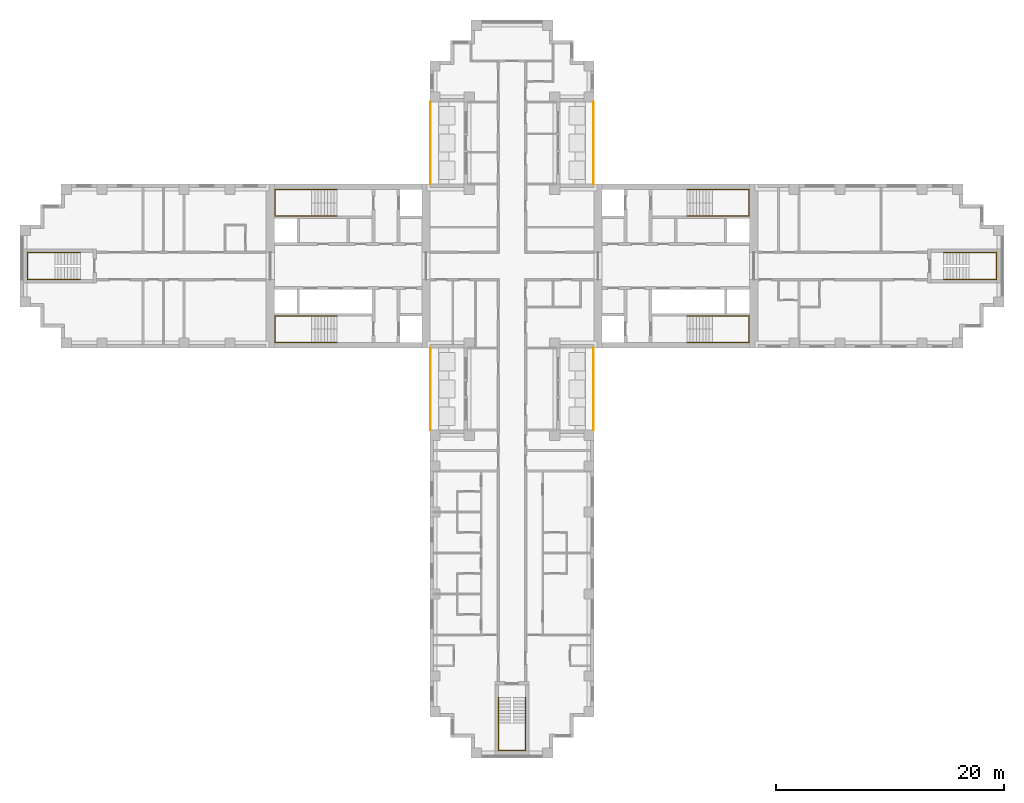
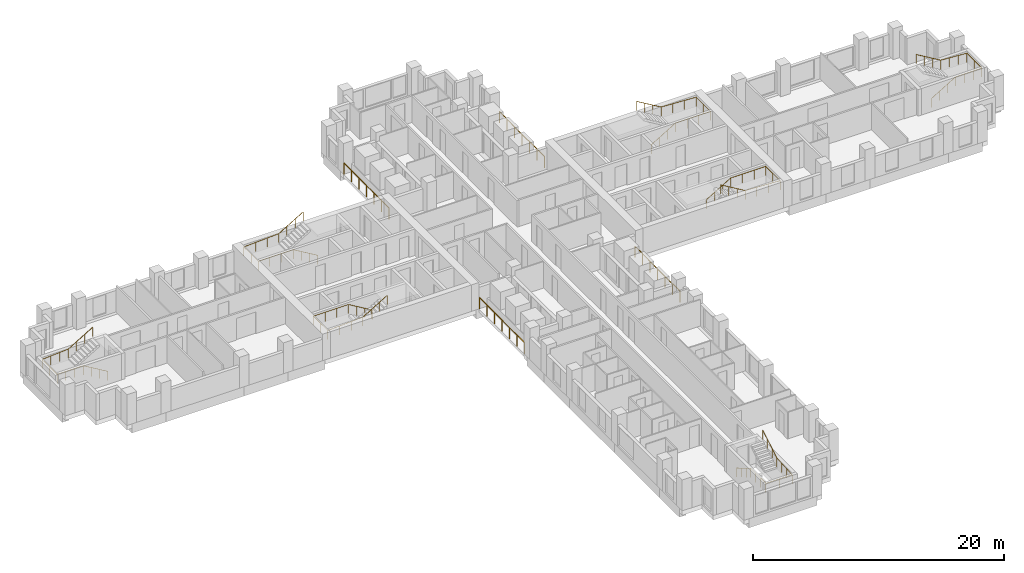
# One storey, part 12 of 13: 11 railings.
"""IFC4 building model written with IfcOpenShell, lengths in metres."""

from ifc_helpers import new_model, si_unit, direction, frame, origin, origin_2d, place, context, subcontext, project, spatial, circle, extrude, material, type_object, element, save


model = new_model("IFC4")

# Units and contexts
model_context = context("Model", 3, precision=1e-05, world=origin(), true_north=direction((0.0, 1.0)))
body_context = subcontext(model_context, "Body", "Model", "MODEL_VIEW")
ifc_project = project(units=[si_unit("LENGTHUNIT", "METRE"), si_unit("AREAUNIT", "SQUARE_METRE"), si_unit("VOLUMEUNIT", "CUBIC_METRE"), si_unit("PLANEANGLEUNIT", "RADIAN"), si_unit("MASSUNIT", "GRAM", prefix="KILO")], contexts=[model_context])

# Site, building, storey
site_placement = place(None, origin())
site = spatial("IfcSite", under=ifc_project, at=site_placement, CompositionType="ELEMENT")
building_placement = place(site_placement, origin())
building = spatial("IfcBuilding", under=site, at=building_placement, Name="Fustian Cross Tower", CompositionType="ELEMENT")
storey_placement = place(building_placement, frame((0.0, 0.0, 105.89990234375)))
storey = spatial("IfcBuildingStorey", under=building, at=storey_placement, Name="L33", CompositionType="ELEMENT", Elevation=105.89990234375)

# Railings
ifc_material_1 = material(Name="Stainless steel and glass", Category="steel")
railing_type_1 = type_object("IfcRailingType", Name="GR1 BALCONY GUARD 1100", PredefinedType="GUARDRAIL", material=ifc_material_1)
for number, where, name in (
    (1, (7.14990234375, 7.199951171875, 0.0), "Balcony guard"),
    (2, (-7.14990234375, 7.199951171875, 0.0), "Balcony guard"),
    (3, (7.14990234375, -14.39990234375, 0.0), "Balcony guard"),
    (4, (-7.14990234375, -14.39990234375, 0.0), "Balcony guard"),
):
    element("IfcRailing", number, at=place(storey_placement, frame(where)), inside=storey, type_object=railing_type_1, Name=name, PredefinedType="GUARDRAIL", context=body_context, shape_type="SweptSolid", body=[
        extrude(circle(Radius=0.02392578125, at=origin_2d()), frame((0.0, 0.0, 1.076171875), z_axis=(0.0, 1.0, 0.0), x_axis=(-1.0, 0.0, 0.0)), (0.0, 0.0, 1.0), 7.199951171875),
        extrude(circle(Radius=0.02099609375, at=origin_2d()), origin(), (0.0, 0.0, 1.0), 1.052001953125),
        extrude(circle(Radius=0.02099609375, at=origin_2d()), frame((0.0, 1.199951171875, 0.0)), (0.0, 0.0, 1.0), 1.052001953125),
        extrude(circle(Radius=0.02099609375, at=origin_2d()), frame((0.0, 2.39990234375, 0.0)), (0.0, 0.0, 1.0), 1.052001953125),
        extrude(circle(Radius=0.02099609375, at=origin_2d()), frame((0.0, 3.60009765625, 0.0)), (0.0, 0.0, 1.0), 1.052001953125),
        extrude(circle(Radius=0.02099609375, at=origin_2d()), frame((0.0, 4.800048828125, 0.0)), (0.0, 0.0, 1.0), 1.052001953125),
        extrude(circle(Radius=0.02099609375, at=origin_2d()), frame((0.0, 6.0, 0.0)), (0.0, 0.0, 1.0), 1.052001953125),
        extrude(circle(Radius=0.02099609375, at=origin_2d()), frame((0.0, 7.199951171875, 0.0)), (0.0, 0.0, 1.0), 1.052001953125),
    ])
ifc_material_2 = material(Name="Stainless steel", Category="steel")
railing_type_2 = type_object("IfcRailingType", Name="STAIR HANDRAIL", PredefinedType="HANDRAIL", material=ifc_material_2)
railing_1_placement = place(storey_placement, frame((15.35009765625, 4.39990234375, 0.166748046875)))
element("IfcRailing", 5, at=railing_1_placement, inside=storey, type_object=railing_type_2, Name="Stair ST1 handrail 1", PredefinedType="HANDRAIL", context=body_context, shape_type="SweptSolid", body=[
    extrude(circle(Radius=0.02490234375, at=origin_2d()), frame((0.0, 0.0, 0.875), z_axis=(0.859305625298, 0.0, 0.511462454469), x_axis=(0.0, 1.0, 0.0)), (0.0, 0.0, 1.0), 2.606689453125),
    extrude(circle(Radius=0.02490234375, at=origin_2d()), frame((2.239990234375, 0.0, 2.2080078125), z_axis=(1.0, 0.0, 0.0), x_axis=(0.0, 1.0, 0.0)), (0.0, 0.0, 1.0), 3.219970703125),
    extrude(circle(Radius=0.02490234375, at=origin_2d()), frame((5.4599609375, 0.0, 2.2080078125), z_axis=(0.0, 1.0, 0.0), x_axis=(-1.0, 0.0, 0.0)), (0.0, 0.0, 1.0), 2.300048828125),
    extrude(circle(Radius=0.02490234375, at=origin_2d()), frame((5.4599609375, 2.300048828125, 2.2080078125), z_axis=(-0.998661817807, 0.0, 0.051716280352), x_axis=(0.0, -1.0, 0.0)), (0.0, 0.0, 1.0), 3.224365234375),
    extrude(circle(Radius=0.02490234375, at=origin_2d()), frame((2.239990234375, 2.300048828125, 2.375), z_axis=(-0.859305625298, 0.0, 0.511462454469), x_axis=(0.0, -1.0, 0.0)), (0.0, 0.0, 1.0), 2.606689453125),
    extrude(circle(Radius=0.02001953125, at=origin_2d()), origin(), (0.0, 0.0, 1.0), 0.849853515625),
    extrude(circle(Radius=0.02001953125, at=origin_2d()), frame((0.74658203125, 0.0, 0.4443359375)), (0.0, 0.0, 1.0), 0.849853515625),
    extrude(circle(Radius=0.02001953125, at=origin_2d()), frame((1.493408203125, 0.0, 0.888916015625)), (0.0, 0.0, 1.0), 0.849853515625),
    extrude(circle(Radius=0.02001953125, at=origin_2d()), frame((2.239990234375, 0.0, 1.333251953125)), (0.0, 0.0, 1.0), 0.849853515625),
    extrude(circle(Radius=0.02001953125, at=origin_2d()), frame((3.313232421875, 0.0, 1.333251953125)), (0.0, 0.0, 1.0), 0.849853515625),
    extrude(circle(Radius=0.02001953125, at=origin_2d()), frame((4.38671875, 0.0, 1.333251953125)), (0.0, 0.0, 1.0), 0.849853515625),
    extrude(circle(Radius=0.02001953125, at=origin_2d()), frame((5.4599609375, 0.0, 1.333251953125)), (0.0, 0.0, 1.0), 0.849853515625),
    extrude(circle(Radius=0.02001953125, at=origin_2d()), frame((5.4599609375, 1.14990234375, 1.333251953125)), (0.0, 0.0, 1.0), 0.849853515625),
    extrude(circle(Radius=0.02001953125, at=origin_2d()), frame((5.4599609375, 2.300048828125, 1.333251953125)), (0.0, 0.0, 1.0), 0.849853515625),
    extrude(circle(Radius=0.02001953125, at=origin_2d()), frame((4.38671875, 2.300048828125, 1.388916015625)), (0.0, 0.0, 1.0), 0.849853515625),
    extrude(circle(Radius=0.02001953125, at=origin_2d()), frame((3.313232421875, 2.300048828125, 1.4443359375)), (0.0, 0.0, 1.0), 0.849853515625),
    extrude(circle(Radius=0.02001953125, at=origin_2d()), frame((2.239990234375, 2.300048828125, 1.5)), (0.0, 0.0, 1.0), 0.849853515625),
    extrude(circle(Radius=0.02001953125, at=origin_2d()), frame((1.493408203125, 2.300048828125, 1.9443359375)), (0.0, 0.0, 1.0), 0.849853515625),
    extrude(circle(Radius=0.02001953125, at=origin_2d()), frame((0.74658203125, 2.300048828125, 2.388916015625)), (0.0, 0.0, 1.0), 0.849853515625),
    extrude(circle(Radius=0.02001953125, at=origin_2d()), frame((0.0, 2.300048828125, 2.833251953125)), (0.0, 0.0, 1.0), 0.849853515625),
])
railing_2_placement = place(storey_placement, frame((15.35009765625, -4.39990234375, 0.166748046875)))
element("IfcRailing", 6, at=railing_2_placement, inside=storey, type_object=railing_type_2, Name="Stair ST2 handrail 1", PredefinedType="HANDRAIL", context=body_context, shape_type="SweptSolid", body=[
    extrude(circle(Radius=0.02490234375, at=origin_2d()), frame((0.0, 0.0, 0.875), z_axis=(0.859305625298, 0.0, 0.511462454469), x_axis=(0.0, 1.0, 0.0)), (0.0, 0.0, 1.0), 2.606689453125),
    extrude(circle(Radius=0.02490234375, at=origin_2d()), frame((2.239990234375, 0.0, 2.2080078125), z_axis=(1.0, 0.0, 0.0), x_axis=(0.0, 1.0, 0.0)), (0.0, 0.0, 1.0), 3.219970703125),
    extrude(circle(Radius=0.02490234375, at=origin_2d()), frame((5.4599609375, 0.0, 2.2080078125), z_axis=(0.0, -1.0, 0.0), x_axis=(1.0, 0.0, 0.0)), (0.0, 0.0, 1.0), 2.300048828125),
    extrude(circle(Radius=0.02490234375, at=origin_2d()), frame((5.4599609375, -2.300048828125, 2.2080078125), z_axis=(-0.998661817807, 0.0, 0.051716280352), x_axis=(0.0, -1.0, 0.0)), (0.0, 0.0, 1.0), 3.224365234375),
    extrude(circle(Radius=0.02490234375, at=origin_2d()), frame((2.239990234375, -2.300048828125, 2.375), z_axis=(-0.859305625298, 0.0, 0.511462454469), x_axis=(0.0, -1.0, 0.0)), (0.0, 0.0, 1.0), 2.606689453125),
    extrude(circle(Radius=0.02001953125, at=origin_2d()), origin(), (0.0, 0.0, 1.0), 0.849853515625),
    extrude(circle(Radius=0.02001953125, at=origin_2d()), frame((0.74658203125, 0.0, 0.4443359375)), (0.0, 0.0, 1.0), 0.849853515625),
    extrude(circle(Radius=0.02001953125, at=origin_2d()), frame((1.493408203125, 0.0, 0.888916015625)), (0.0, 0.0, 1.0), 0.849853515625),
    extrude(circle(Radius=0.02001953125, at=origin_2d()), frame((2.239990234375, 0.0, 1.333251953125)), (0.0, 0.0, 1.0), 0.849853515625),
    extrude(circle(Radius=0.02001953125, at=origin_2d()), frame((3.313232421875, 0.0, 1.333251953125)), (0.0, 0.0, 1.0), 0.849853515625),
    extrude(circle(Radius=0.02001953125, at=origin_2d()), frame((4.38671875, 0.0, 1.333251953125)), (0.0, 0.0, 1.0), 0.849853515625),
    extrude(circle(Radius=0.02001953125, at=origin_2d()), frame((5.4599609375, 0.0, 1.333251953125)), (0.0, 0.0, 1.0), 0.849853515625),
    extrude(circle(Radius=0.02001953125, at=origin_2d()), frame((5.4599609375, -1.14990234375, 1.333251953125)), (0.0, 0.0, 1.0), 0.849853515625),
    extrude(circle(Radius=0.02001953125, at=origin_2d()), frame((5.4599609375, -2.300048828125, 1.333251953125)), (0.0, 0.0, 1.0), 0.849853515625),
    extrude(circle(Radius=0.02001953125, at=origin_2d()), frame((4.38671875, -2.300048828125, 1.388916015625)), (0.0, 0.0, 1.0), 0.849853515625),
    extrude(circle(Radius=0.02001953125, at=origin_2d()), frame((3.313232421875, -2.300048828125, 1.4443359375)), (0.0, 0.0, 1.0), 0.849853515625),
    extrude(circle(Radius=0.02001953125, at=origin_2d()), frame((2.239990234375, -2.300048828125, 1.5)), (0.0, 0.0, 1.0), 0.849853515625),
    extrude(circle(Radius=0.02001953125, at=origin_2d()), frame((1.493408203125, -2.300048828125, 1.9443359375)), (0.0, 0.0, 1.0), 0.849853515625),
    extrude(circle(Radius=0.02001953125, at=origin_2d()), frame((0.74658203125, -2.300048828125, 2.388916015625)), (0.0, 0.0, 1.0), 0.849853515625),
    extrude(circle(Radius=0.02001953125, at=origin_2d()), frame((0.0, -2.300048828125, 2.833251953125)), (0.0, 0.0, 1.0), 0.849853515625),
])
railing_3_placement = place(storey_placement, frame((-15.35009765625, 4.39990234375, 0.166748046875)))
element("IfcRailing", 7, at=railing_3_placement, inside=storey, type_object=railing_type_2, Name="Stair ST3 handrail 1", PredefinedType="HANDRAIL", context=body_context, shape_type="SweptSolid", body=[
    extrude(circle(Radius=0.02490234375, at=origin_2d()), frame((0.0, 0.0, 0.875), z_axis=(-0.859305625298, 0.0, 0.511462454469), x_axis=(0.0, -1.0, 0.0)), (0.0, 0.0, 1.0), 2.606689453125),
    extrude(circle(Radius=0.02490234375, at=origin_2d()), frame((-2.239990234375, 0.0, 2.2080078125), z_axis=(-1.0, 0.0, 0.0), x_axis=(0.0, -1.0, 0.0)), (0.0, 0.0, 1.0), 3.219970703125),
    extrude(circle(Radius=0.02490234375, at=origin_2d()), frame((-5.4599609375, 0.0, 2.2080078125), z_axis=(0.0, 1.0, 0.0), x_axis=(-1.0, 0.0, 0.0)), (0.0, 0.0, 1.0), 2.300048828125),
    extrude(circle(Radius=0.02490234375, at=origin_2d()), frame((-5.4599609375, 2.300048828125, 2.2080078125), z_axis=(0.998661817807, 0.0, 0.051716280352), x_axis=(0.0, 1.0, 0.0)), (0.0, 0.0, 1.0), 3.224365234375),
    extrude(circle(Radius=0.02490234375, at=origin_2d()), frame((-2.239990234375, 2.300048828125, 2.375), z_axis=(0.859305625298, 0.0, 0.511462454469), x_axis=(0.0, 1.0, 0.0)), (0.0, 0.0, 1.0), 2.606689453125),
    extrude(circle(Radius=0.02001953125, at=origin_2d()), origin(), (0.0, 0.0, 1.0), 0.849853515625),
    extrude(circle(Radius=0.02001953125, at=origin_2d()), frame((-0.74658203125, 0.0, 0.4443359375)), (0.0, 0.0, 1.0), 0.849853515625),
    extrude(circle(Radius=0.02001953125, at=origin_2d()), frame((-1.493408203125, 0.0, 0.888916015625)), (0.0, 0.0, 1.0), 0.849853515625),
    extrude(circle(Radius=0.02001953125, at=origin_2d()), frame((-2.239990234375, 0.0, 1.333251953125)), (0.0, 0.0, 1.0), 0.849853515625),
    extrude(circle(Radius=0.02001953125, at=origin_2d()), frame((-3.313232421875, 0.0, 1.333251953125)), (0.0, 0.0, 1.0), 0.849853515625),
    extrude(circle(Radius=0.02001953125, at=origin_2d()), frame((-4.38671875, 0.0, 1.333251953125)), (0.0, 0.0, 1.0), 0.849853515625),
    extrude(circle(Radius=0.02001953125, at=origin_2d()), frame((-5.4599609375, 0.0, 1.333251953125)), (0.0, 0.0, 1.0), 0.849853515625),
    extrude(circle(Radius=0.02001953125, at=origin_2d()), frame((-5.4599609375, 1.14990234375, 1.333251953125)), (0.0, 0.0, 1.0), 0.849853515625),
    extrude(circle(Radius=0.02001953125, at=origin_2d()), frame((-5.4599609375, 2.300048828125, 1.333251953125)), (0.0, 0.0, 1.0), 0.849853515625),
    extrude(circle(Radius=0.02001953125, at=origin_2d()), frame((-4.38671875, 2.300048828125, 1.388916015625)), (0.0, 0.0, 1.0), 0.849853515625),
    extrude(circle(Radius=0.02001953125, at=origin_2d()), frame((-3.313232421875, 2.300048828125, 1.4443359375)), (0.0, 0.0, 1.0), 0.849853515625),
    extrude(circle(Radius=0.02001953125, at=origin_2d()), frame((-2.239990234375, 2.300048828125, 1.5)), (0.0, 0.0, 1.0), 0.849853515625),
    extrude(circle(Radius=0.02001953125, at=origin_2d()), frame((-1.493408203125, 2.300048828125, 1.9443359375)), (0.0, 0.0, 1.0), 0.849853515625),
    extrude(circle(Radius=0.02001953125, at=origin_2d()), frame((-0.74658203125, 2.300048828125, 2.388916015625)), (0.0, 0.0, 1.0), 0.849853515625),
    extrude(circle(Radius=0.02001953125, at=origin_2d()), frame((0.0, 2.300048828125, 2.833251953125)), (0.0, 0.0, 1.0), 0.849853515625),
])
railing_4_placement = place(storey_placement, frame((-15.35009765625, -4.39990234375, 0.166748046875)))
element("IfcRailing", 8, at=railing_4_placement, inside=storey, type_object=railing_type_2, Name="Stair ST4 handrail 1", PredefinedType="HANDRAIL", context=body_context, shape_type="SweptSolid", body=[
    extrude(circle(Radius=0.02490234375, at=origin_2d()), frame((0.0, 0.0, 0.875), z_axis=(-0.859305625298, 0.0, 0.511462454469), x_axis=(0.0, -1.0, 0.0)), (0.0, 0.0, 1.0), 2.606689453125),
    extrude(circle(Radius=0.02490234375, at=origin_2d()), frame((-2.239990234375, 0.0, 2.2080078125), z_axis=(-1.0, 0.0, 0.0), x_axis=(0.0, -1.0, 0.0)), (0.0, 0.0, 1.0), 3.219970703125),
    extrude(circle(Radius=0.02490234375, at=origin_2d()), frame((-5.4599609375, 0.0, 2.2080078125), z_axis=(0.0, -1.0, 0.0), x_axis=(1.0, 0.0, 0.0)), (0.0, 0.0, 1.0), 2.300048828125),
    extrude(circle(Radius=0.02490234375, at=origin_2d()), frame((-5.4599609375, -2.300048828125, 2.2080078125), z_axis=(0.998661817807, 0.0, 0.051716280352), x_axis=(0.0, 1.0, 0.0)), (0.0, 0.0, 1.0), 3.224365234375),
    extrude(circle(Radius=0.02490234375, at=origin_2d()), frame((-2.239990234375, -2.300048828125, 2.375), z_axis=(0.859305625298, 0.0, 0.511462454469), x_axis=(0.0, 1.0, 0.0)), (0.0, 0.0, 1.0), 2.606689453125),
    extrude(circle(Radius=0.02001953125, at=origin_2d()), origin(), (0.0, 0.0, 1.0), 0.849853515625),
    extrude(circle(Radius=0.02001953125, at=origin_2d()), frame((-0.74658203125, 0.0, 0.4443359375)), (0.0, 0.0, 1.0), 0.849853515625),
    extrude(circle(Radius=0.02001953125, at=origin_2d()), frame((-1.493408203125, 0.0, 0.888916015625)), (0.0, 0.0, 1.0), 0.849853515625),
    extrude(circle(Radius=0.02001953125, at=origin_2d()), frame((-2.239990234375, 0.0, 1.333251953125)), (0.0, 0.0, 1.0), 0.849853515625),
    extrude(circle(Radius=0.02001953125, at=origin_2d()), frame((-3.313232421875, 0.0, 1.333251953125)), (0.0, 0.0, 1.0), 0.849853515625),
    extrude(circle(Radius=0.02001953125, at=origin_2d()), frame((-4.38671875, 0.0, 1.333251953125)), (0.0, 0.0, 1.0), 0.849853515625),
    extrude(circle(Radius=0.02001953125, at=origin_2d()), frame((-5.4599609375, 0.0, 1.333251953125)), (0.0, 0.0, 1.0), 0.849853515625),
    extrude(circle(Radius=0.02001953125, at=origin_2d()), frame((-5.4599609375, -1.14990234375, 1.333251953125)), (0.0, 0.0, 1.0), 0.849853515625),
    extrude(circle(Radius=0.02001953125, at=origin_2d()), frame((-5.4599609375, -2.300048828125, 1.333251953125)), (0.0, 0.0, 1.0), 0.849853515625),
    extrude(circle(Radius=0.02001953125, at=origin_2d()), frame((-4.38671875, -2.300048828125, 1.388916015625)), (0.0, 0.0, 1.0), 0.849853515625),
    extrude(circle(Radius=0.02001953125, at=origin_2d()), frame((-3.313232421875, -2.300048828125, 1.4443359375)), (0.0, 0.0, 1.0), 0.849853515625),
    extrude(circle(Radius=0.02001953125, at=origin_2d()), frame((-2.239990234375, -2.300048828125, 1.5)), (0.0, 0.0, 1.0), 0.849853515625),
    extrude(circle(Radius=0.02001953125, at=origin_2d()), frame((-1.493408203125, -2.300048828125, 1.9443359375)), (0.0, 0.0, 1.0), 0.849853515625),
    extrude(circle(Radius=0.02001953125, at=origin_2d()), frame((-0.74658203125, -2.300048828125, 2.388916015625)), (0.0, 0.0, 1.0), 0.849853515625),
    extrude(circle(Radius=0.02001953125, at=origin_2d()), frame((0.0, -2.300048828125, 2.833251953125)), (0.0, 0.0, 1.0), 0.849853515625),
])
railing_5_placement = place(storey_placement, frame((-1.199951171875, -37.89990234375, 0.166748046875)))
element("IfcRailing", 9, at=railing_5_placement, inside=storey, type_object=railing_type_2, Name="Stair ST6 handrail 1", PredefinedType="HANDRAIL", context=body_context, shape_type="SweptSolid", body=[
    extrude(circle(Radius=0.02490234375, at=origin_2d()), frame((0.0, 0.0, 0.875), z_axis=(0.0, -0.859305625298, 0.511462454469), x_axis=(1.0, 0.0, 0.0)), (0.0, 0.0, 1.0), 2.606689453125),
    extrude(circle(Radius=0.02490234375, at=origin_2d()), frame((0.0, -2.239990234375, 2.2080078125), z_axis=(0.0, -1.0, 0.0), x_axis=(1.0, 0.0, 0.0)), (0.0, 0.0, 1.0), 2.420166015625),
    extrude(circle(Radius=0.02490234375, at=origin_2d()), frame((0.0, -4.66015625, 2.2080078125), z_axis=(1.0, 0.0, 0.0), x_axis=(0.0, 1.0, 0.0)), (0.0, 0.0, 1.0), 2.39990234375),
    extrude(circle(Radius=0.02490234375, at=origin_2d()), frame((2.39990234375, -4.66015625, 2.2080078125), z_axis=(0.0, 0.997634852044, 0.068736467663), x_axis=(-1.0, 0.0, 0.0)), (0.0, 0.0, 1.0), 2.426025390625),
    extrude(circle(Radius=0.02490234375, at=origin_2d()), frame((2.39990234375, -2.239990234375, 2.375), z_axis=(0.0, 0.859305625298, 0.511462454469), x_axis=(-1.0, 0.0, 0.0)), (0.0, 0.0, 1.0), 2.606689453125),
    extrude(circle(Radius=0.02001953125, at=origin_2d()), origin(), (0.0, 0.0, 1.0), 0.849853515625),
    extrude(circle(Radius=0.02001953125, at=origin_2d()), frame((0.0, -0.74658203125, 0.4443359375)), (0.0, 0.0, 1.0), 0.849853515625),
    extrude(circle(Radius=0.02001953125, at=origin_2d()), frame((0.0, -1.493408203125, 0.888916015625)), (0.0, 0.0, 1.0), 0.849853515625),
    extrude(circle(Radius=0.02001953125, at=origin_2d()), frame((0.0, -2.239990234375, 1.333251953125)), (0.0, 0.0, 1.0), 0.849853515625),
    extrude(circle(Radius=0.02001953125, at=origin_2d()), frame((0.0, -3.046630859375, 1.333251953125)), (0.0, 0.0, 1.0), 0.849853515625),
    extrude(circle(Radius=0.02001953125, at=origin_2d()), frame((0.0, -3.853515625, 1.333251953125)), (0.0, 0.0, 1.0), 0.849853515625),
    extrude(circle(Radius=0.02001953125, at=origin_2d()), frame((0.0, -4.66015625, 1.333251953125)), (0.0, 0.0, 1.0), 0.849853515625),
    extrude(circle(Radius=0.02001953125, at=origin_2d()), frame((1.199951171875, -4.66015625, 1.333251953125)), (0.0, 0.0, 1.0), 0.849853515625),
    extrude(circle(Radius=0.02001953125, at=origin_2d()), frame((2.39990234375, -4.66015625, 1.333251953125)), (0.0, 0.0, 1.0), 0.849853515625),
    extrude(circle(Radius=0.02001953125, at=origin_2d()), frame((2.39990234375, -3.853515625, 1.388916015625)), (0.0, 0.0, 1.0), 0.849853515625),
    extrude(circle(Radius=0.02001953125, at=origin_2d()), frame((2.39990234375, -3.046630859375, 1.4443359375)), (0.0, 0.0, 1.0), 0.849853515625),
    extrude(circle(Radius=0.02001953125, at=origin_2d()), frame((2.39990234375, -2.239990234375, 1.5)), (0.0, 0.0, 1.0), 0.849853515625),
    extrude(circle(Radius=0.02001953125, at=origin_2d()), frame((2.39990234375, -1.493408203125, 1.9443359375)), (0.0, 0.0, 1.0), 0.849853515625),
    extrude(circle(Radius=0.02001953125, at=origin_2d()), frame((2.39990234375, -0.74658203125, 2.388916015625)), (0.0, 0.0, 1.0), 0.849853515625),
    extrude(circle(Radius=0.02001953125, at=origin_2d()), frame((2.39990234375, 0.0, 2.833251953125)), (0.0, 0.0, 1.0), 0.849853515625),
])
railing_6_placement = place(storey_placement, frame((37.89990234375, -1.199951171875, 0.166748046875)))
element("IfcRailing", 10, at=railing_6_placement, inside=storey, type_object=railing_type_2, Name="Stair ST8 handrail 1", PredefinedType="HANDRAIL", context=body_context, shape_type="SweptSolid", body=[
    extrude(circle(Radius=0.02490234375, at=origin_2d()), frame((0.0, 0.0, 0.875), z_axis=(0.859305625298, 0.0, 0.511462454469), x_axis=(0.0, 1.0, 0.0)), (0.0, 0.0, 1.0), 2.606689453125),
    extrude(circle(Radius=0.02490234375, at=origin_2d()), frame((2.239990234375, 0.0, 2.2080078125), z_axis=(1.0, 0.0, 0.0), x_axis=(0.0, 1.0, 0.0)), (0.0, 0.0, 1.0), 2.420166015625),
    extrude(circle(Radius=0.02490234375, at=origin_2d()), frame((4.66015625, 0.0, 2.2080078125), z_axis=(0.0, 1.0, 0.0), x_axis=(-1.0, 0.0, 0.0)), (0.0, 0.0, 1.0), 2.39990234375),
    extrude(circle(Radius=0.02490234375, at=origin_2d()), frame((4.66015625, 2.39990234375, 2.2080078125), z_axis=(-0.997634852044, 0.0, 0.068736467663), x_axis=(0.0, -1.0, 0.0)), (0.0, 0.0, 1.0), 2.426025390625),
    extrude(circle(Radius=0.02490234375, at=origin_2d()), frame((2.239990234375, 2.39990234375, 2.375), z_axis=(-0.859305625298, 0.0, 0.511462454469), x_axis=(0.0, -1.0, 0.0)), (0.0, 0.0, 1.0), 2.606689453125),
    extrude(circle(Radius=0.02001953125, at=origin_2d()), origin(), (0.0, 0.0, 1.0), 0.849853515625),
    extrude(circle(Radius=0.02001953125, at=origin_2d()), frame((0.74658203125, 0.0, 0.4443359375)), (0.0, 0.0, 1.0), 0.849853515625),
    extrude(circle(Radius=0.02001953125, at=origin_2d()), frame((1.493408203125, 0.0, 0.888916015625)), (0.0, 0.0, 1.0), 0.849853515625),
    extrude(circle(Radius=0.02001953125, at=origin_2d()), frame((2.239990234375, 0.0, 1.333251953125)), (0.0, 0.0, 1.0), 0.849853515625),
    extrude(circle(Radius=0.02001953125, at=origin_2d()), frame((3.046630859375, 0.0, 1.333251953125)), (0.0, 0.0, 1.0), 0.849853515625),
    extrude(circle(Radius=0.02001953125, at=origin_2d()), frame((3.853515625, 0.0, 1.333251953125)), (0.0, 0.0, 1.0), 0.849853515625),
    extrude(circle(Radius=0.02001953125, at=origin_2d()), frame((4.66015625, 0.0, 1.333251953125)), (0.0, 0.0, 1.0), 0.849853515625),
    extrude(circle(Radius=0.02001953125, at=origin_2d()), frame((4.66015625, 1.199951171875, 1.333251953125)), (0.0, 0.0, 1.0), 0.849853515625),
    extrude(circle(Radius=0.02001953125, at=origin_2d()), frame((4.66015625, 2.39990234375, 1.333251953125)), (0.0, 0.0, 1.0), 0.849853515625),
    extrude(circle(Radius=0.02001953125, at=origin_2d()), frame((3.853515625, 2.39990234375, 1.388916015625)), (0.0, 0.0, 1.0), 0.849853515625),
    extrude(circle(Radius=0.02001953125, at=origin_2d()), frame((3.046630859375, 2.39990234375, 1.4443359375)), (0.0, 0.0, 1.0), 0.849853515625),
    extrude(circle(Radius=0.02001953125, at=origin_2d()), frame((2.239990234375, 2.39990234375, 1.5)), (0.0, 0.0, 1.0), 0.849853515625),
    extrude(circle(Radius=0.02001953125, at=origin_2d()), frame((1.493408203125, 2.39990234375, 1.9443359375)), (0.0, 0.0, 1.0), 0.849853515625),
    extrude(circle(Radius=0.02001953125, at=origin_2d()), frame((0.74658203125, 2.39990234375, 2.388916015625)), (0.0, 0.0, 1.0), 0.849853515625),
    extrude(circle(Radius=0.02001953125, at=origin_2d()), frame((0.0, 2.39990234375, 2.833251953125)), (0.0, 0.0, 1.0), 0.849853515625),
])
railing_7_placement = place(storey_placement, frame((-37.89990234375, -1.199951171875, 0.166748046875)))
element("IfcRailing", 11, at=railing_7_placement, inside=storey, type_object=railing_type_2, Name="Stair ST9 handrail 1", PredefinedType="HANDRAIL", context=body_context, shape_type="SweptSolid", body=[
    extrude(circle(Radius=0.02490234375, at=origin_2d()), frame((0.0, 0.0, 0.875), z_axis=(-0.859305625298, 0.0, 0.511462454469), x_axis=(0.0, -1.0, 0.0)), (0.0, 0.0, 1.0), 2.606689453125),
    extrude(circle(Radius=0.02490234375, at=origin_2d()), frame((-2.239990234375, 0.0, 2.2080078125), z_axis=(-1.0, 0.0, 0.0), x_axis=(0.0, -1.0, 0.0)), (0.0, 0.0, 1.0), 2.420166015625),
    extrude(circle(Radius=0.02490234375, at=origin_2d()), frame((-4.66015625, 0.0, 2.2080078125), z_axis=(0.0, 1.0, 0.0), x_axis=(-1.0, 0.0, 0.0)), (0.0, 0.0, 1.0), 2.39990234375),
    extrude(circle(Radius=0.02490234375, at=origin_2d()), frame((-4.66015625, 2.39990234375, 2.2080078125), z_axis=(0.997634852044, 0.0, 0.068736467663), x_axis=(0.0, 1.0, 0.0)), (0.0, 0.0, 1.0), 2.426025390625),
    extrude(circle(Radius=0.02490234375, at=origin_2d()), frame((-2.239990234375, 2.39990234375, 2.375), z_axis=(0.859305625298, 0.0, 0.511462454469), x_axis=(0.0, 1.0, 0.0)), (0.0, 0.0, 1.0), 2.606689453125),
    extrude(circle(Radius=0.02001953125, at=origin_2d()), origin(), (0.0, 0.0, 1.0), 0.849853515625),
    extrude(circle(Radius=0.02001953125, at=origin_2d()), frame((-0.74658203125, 0.0, 0.4443359375)), (0.0, 0.0, 1.0), 0.849853515625),
    extrude(circle(Radius=0.02001953125, at=origin_2d()), frame((-1.493408203125, 0.0, 0.888916015625)), (0.0, 0.0, 1.0), 0.849853515625),
    extrude(circle(Radius=0.02001953125, at=origin_2d()), frame((-2.239990234375, 0.0, 1.333251953125)), (0.0, 0.0, 1.0), 0.849853515625),
    extrude(circle(Radius=0.02001953125, at=origin_2d()), frame((-3.046630859375, 0.0, 1.333251953125)), (0.0, 0.0, 1.0), 0.849853515625),
    extrude(circle(Radius=0.02001953125, at=origin_2d()), frame((-3.853515625, 0.0, 1.333251953125)), (0.0, 0.0, 1.0), 0.849853515625),
    extrude(circle(Radius=0.02001953125, at=origin_2d()), frame((-4.66015625, 0.0, 1.333251953125)), (0.0, 0.0, 1.0), 0.849853515625),
    extrude(circle(Radius=0.02001953125, at=origin_2d()), frame((-4.66015625, 1.199951171875, 1.333251953125)), (0.0, 0.0, 1.0), 0.849853515625),
    extrude(circle(Radius=0.02001953125, at=origin_2d()), frame((-4.66015625, 2.39990234375, 1.333251953125)), (0.0, 0.0, 1.0), 0.849853515625),
    extrude(circle(Radius=0.02001953125, at=origin_2d()), frame((-3.853515625, 2.39990234375, 1.388916015625)), (0.0, 0.0, 1.0), 0.849853515625),
    extrude(circle(Radius=0.02001953125, at=origin_2d()), frame((-3.046630859375, 2.39990234375, 1.4443359375)), (0.0, 0.0, 1.0), 0.849853515625),
    extrude(circle(Radius=0.02001953125, at=origin_2d()), frame((-2.239990234375, 2.39990234375, 1.5)), (0.0, 0.0, 1.0), 0.849853515625),
    extrude(circle(Radius=0.02001953125, at=origin_2d()), frame((-1.493408203125, 2.39990234375, 1.9443359375)), (0.0, 0.0, 1.0), 0.849853515625),
    extrude(circle(Radius=0.02001953125, at=origin_2d()), frame((-0.74658203125, 2.39990234375, 2.388916015625)), (0.0, 0.0, 1.0), 0.849853515625),
    extrude(circle(Radius=0.02001953125, at=origin_2d()), frame((0.0, 2.39990234375, 2.833251953125)), (0.0, 0.0, 1.0), 0.849853515625),
])

save(model, "model.ifc")
